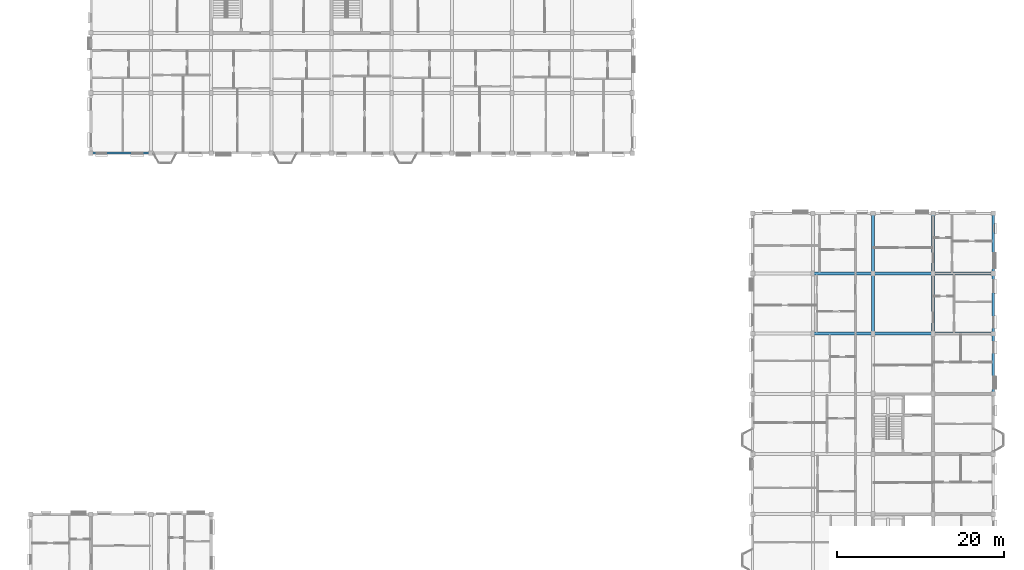
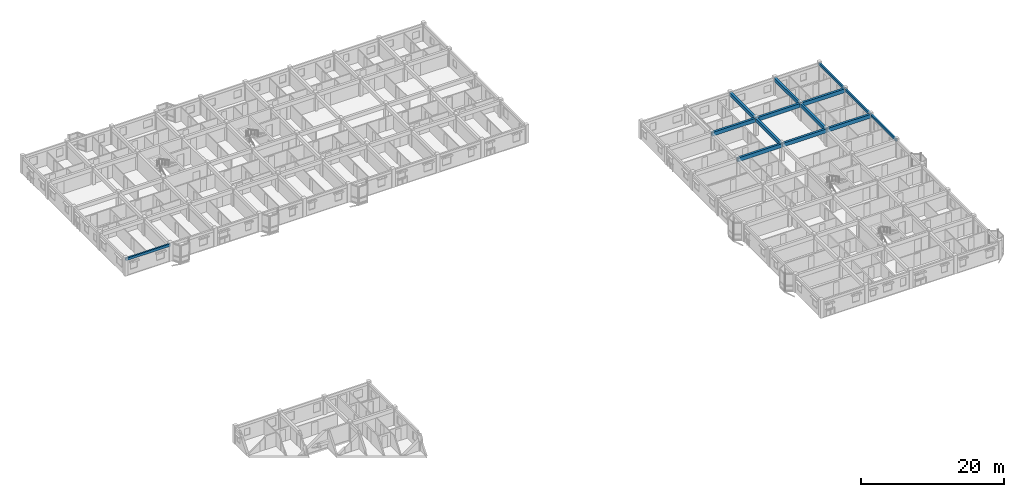
# One storey, part 31 of 79: 14 beams.
"""IFC4 building model written with IfcOpenShell, lengths in metres."""

from ifc_helpers import new_model, si_unit, direction, frame, origin, origin_2d, place, context, subcontext, project, spatial, rectangle, extrude, material, material_profile, profile_set, type_object, element, save


model = new_model("IFC4")

# Units and contexts
model_context = context("Model", 3, precision=1e-05, world=origin(), true_north=direction((0.0, 1.0)))
body_context = subcontext(model_context, "Body", "Model", "MODEL_VIEW")
ifc_project = project(units=[si_unit("LENGTHUNIT", "METRE"), si_unit("AREAUNIT", "SQUARE_METRE"), si_unit("VOLUMEUNIT", "CUBIC_METRE"), si_unit("PLANEANGLEUNIT", "RADIAN"), si_unit("MASSUNIT", "GRAM", prefix="KILO"), si_unit("THERMODYNAMICTEMPERATUREUNIT", "KELVIN"), si_unit("POWERUNIT", "WATT")], contexts=[model_context])

# Site, building, storey
site_placement = place(None, origin())
site = spatial("IfcSite", under=ifc_project, at=site_placement, CompositionType="ELEMENT")
building_placement = place(site_placement, origin())
building = spatial("IfcBuilding", under=site, at=building_placement, Name="Tavuni Mirador Residences", CompositionType="ELEMENT")
storey_placement = place(building_placement, frame((0.0, 0.0, 13.949951171875)))
storey = spatial("IfcBuildingStorey", under=building, at=storey_placement, Name="L04", CompositionType="ELEMENT", Elevation=13.949951171875)

# Beams
ifc_material = material(Name="Precast concrete C40/50", Category="concrete")
ifc_material_profile_1 = material_profile(ifc_material, rectangle(XDim=0.35009765625, YDim=0.60009765625, at=origin_2d()), Name="PC 350x600", Category="concrete")
ifc_profile_set_1 = profile_set([ifc_material_profile_1], Name="Precast concrete C40/50")
beam_type_1 = type_object("IfcBeamType", Name="BT-B600", PredefinedType="BEAM", material=ifc_profile_set_1)
beam_1_placement = place(storey_placement, frame((104.39990234375, 122.39990234375, 2.590087890625), z_axis=(0.0, 1.0, 0.0), x_axis=(-1.0, 0.0, 0.0)))
element("IfcBeam", 1, at=beam_1_placement, inside=storey, type_object=beam_type_1, Name="BMY-BLK-D-L04-02-05", PredefinedType="BEAM", context=body_context, shape_type="SweptSolid", body=[
    extrude(rectangle(XDim=0.35009765625, YDim=0.60009765625, at=origin_2d()), origin(), (0.0, 0.0, 1.0), 7.2001953125),
])
beam_2_placement = place(storey_placement, frame((104.39990234375, 129.60009765625, 2.590087890625), z_axis=(0.0, 1.0, 0.0), x_axis=(-1.0, 0.0, 0.0)))
element("IfcBeam", 2, at=beam_2_placement, inside=storey, type_object=beam_type_1, Name="BMY-BLK-D-L04-02-06", PredefinedType="BEAM", context=body_context, shape_type="SweptSolid", body=[
    extrude(rectangle(XDim=0.35009765625, YDim=0.60009765625, at=origin_2d()), origin(), (0.0, 0.0, 1.0), 7.199951171875),
])
beam_3_placement = place(storey_placement, frame((111.60009765625, 122.39990234375, 2.590087890625), z_axis=(0.0, 1.0, 0.0), x_axis=(-1.0, 0.0, 0.0)))
element("IfcBeam", 3, at=beam_3_placement, inside=storey, type_object=beam_type_1, Name="BMY-BLK-D-L04-03-05", PredefinedType="BEAM", context=body_context, shape_type="SweptSolid", body=[
    extrude(rectangle(XDim=0.35009765625, YDim=0.60009765625, at=origin_2d()), origin(), (0.0, 0.0, 1.0), 7.2001953125),
])
beam_4_placement = place(storey_placement, frame((111.60009765625, 129.60009765625, 2.590087890625), z_axis=(0.0, 1.0, 0.0), x_axis=(-1.0, 0.0, 0.0)))
element("IfcBeam", 4, at=beam_4_placement, inside=storey, type_object=beam_type_1, Name="BMY-BLK-D-L04-03-06", PredefinedType="BEAM", context=body_context, shape_type="SweptSolid", body=[
    extrude(rectangle(XDim=0.35009765625, YDim=0.60009765625, at=origin_2d()), origin(), (0.0, 0.0, 1.0), 7.199951171875),
])
ifc_material_profile_2 = material_profile(ifc_material, rectangle(XDim=0.35009765625, YDim=0.64990234375, at=origin_2d()), Name="PC 350x650", Category="concrete")
ifc_profile_set_2 = profile_set([ifc_material_profile_2], Name="Precast concrete C40/50")
beam_type_2 = type_object("IfcBeamType", Name="BT-B650", PredefinedType="BEAM", material=ifc_profile_set_2)
beam_5_placement = place(storey_placement, frame((97.199951171875, 122.39990234375, 2.56494140625), z_axis=(1.0, 0.0, 0.0), x_axis=(0.0, 1.0, 0.0)))
element("IfcBeam", 5, at=beam_5_placement, inside=storey, type_object=beam_type_2, Name="BMX-BLK-D-L04-01-05", PredefinedType="BEAM", context=body_context, shape_type="SweptSolid", body=[
    extrude(rectangle(XDim=0.35009765625, YDim=0.64990234375, at=origin_2d()), origin(), (0.0, 0.0, 1.0), 7.199951171875),
])
beam_6_placement = place(storey_placement, frame((104.39990234375, 122.39990234375, 2.56494140625), z_axis=(1.0, 0.0, 0.0), x_axis=(0.0, 1.0, 0.0)))
element("IfcBeam", 6, at=beam_6_placement, inside=storey, type_object=beam_type_2, Name="BMX-BLK-D-L04-02-05", PredefinedType="BEAM", context=body_context, shape_type="SweptSolid", body=[
    extrude(rectangle(XDim=0.35009765625, YDim=0.64990234375, at=origin_2d()), origin(), (0.0, 0.0, 1.0), 7.2001953125),
])
for number, where, z_axis, x_axis, name in (
    (7, (111.60009765625, 122.39990234375, 2.56494140625), (1.0, 0.0, 0.0), (0.0, 1.0, 0.0), "BMX-BLK-D-L04-03-05"),
    (8, (97.199951171875, 129.60009765625, 2.56494140625), (1.0, 0.0, 0.0), (0.0, 1.0, 0.0), "BMX-BLK-D-L04-01-06"),
):
    element("IfcBeam", number, at=place(storey_placement, frame(where, z_axis=z_axis, x_axis=x_axis)), inside=storey, type_object=beam_type_2, Name=name, PredefinedType="BEAM", context=body_context, shape_type="SweptSolid", body=[
        extrude(rectangle(XDim=0.35009765625, YDim=0.64990234375, at=origin_2d()), origin(), (0.0, 0.0, 1.0), 7.199951171875),
    ])
beam_7_placement = place(storey_placement, frame((104.39990234375, 129.60009765625, 2.56494140625), z_axis=(1.0, 0.0, 0.0), x_axis=(0.0, 1.0, 0.0)))
element("IfcBeam", 9, at=beam_7_placement, inside=storey, type_object=beam_type_2, Name="BMX-BLK-D-L04-02-06", PredefinedType="BEAM", context=body_context, shape_type="SweptSolid", body=[
    extrude(rectangle(XDim=0.35009765625, YDim=0.64990234375, at=origin_2d()), origin(), (0.0, 0.0, 1.0), 7.2001953125),
])
beam_8_placement = place(storey_placement, frame((111.60009765625, 129.60009765625, 2.56494140625), z_axis=(1.0, 0.0, 0.0), x_axis=(0.0, 1.0, 0.0)))
element("IfcBeam", 10, at=beam_8_placement, inside=storey, type_object=beam_type_2, Name="BMX-BLK-D-L04-03-06", PredefinedType="BEAM", context=body_context, shape_type="SweptSolid", body=[
    extrude(rectangle(XDim=0.35009765625, YDim=0.64990234375, at=origin_2d()), origin(), (0.0, 0.0, 1.0), 7.199951171875),
])
ifc_material_profile_3 = material_profile(ifc_material, rectangle(XDim=0.25, YDim=0.419921875, at=origin_2d()), Name="PC 250x420", Category="concrete")
ifc_profile_set_3 = profile_set([ifc_material_profile_3], Name="Precast concrete C40/50")
beam_type_3 = type_object("IfcBeamType", Name="BT-SP420", PredefinedType="SPANDREL", material=ifc_profile_set_3)
for number, where, z_axis, x_axis, name in (
    (11, (10.800048828125, 144.0, 2.675048828125), (1.0, 0.0, 0.0), (0.0, 1.0, 0.0), "BMX-BLK-C-L04-00-00"),
    (12, (118.800048828125, 115.199951171875, 2.679931640625), (0.0, 1.0, 0.0), (-1.0, 0.0, 0.0), "BMY-BLK-D-L04-04-04"),
):
    element("IfcBeam", number, at=place(storey_placement, frame(where, z_axis=z_axis, x_axis=x_axis)), inside=storey, type_object=beam_type_3, Name=name, PredefinedType="SPANDREL", context=body_context, shape_type="SweptSolid", body=[
        extrude(rectangle(XDim=0.25, YDim=0.419921875, at=origin_2d()), origin(), (0.0, 0.0, 1.0), 7.199951171875),
    ])
beam_9_placement = place(storey_placement, frame((118.800048828125, 122.39990234375, 2.679931640625), z_axis=(0.0, 1.0, 0.0), x_axis=(-1.0, 0.0, 0.0)))
element("IfcBeam", 13, at=beam_9_placement, inside=storey, type_object=beam_type_3, Name="BMY-BLK-D-L04-04-05", PredefinedType="SPANDREL", context=body_context, shape_type="SweptSolid", body=[
    extrude(rectangle(XDim=0.25, YDim=0.419921875, at=origin_2d()), origin(), (0.0, 0.0, 1.0), 7.2001953125),
])
beam_10_placement = place(storey_placement, frame((118.800048828125, 129.60009765625, 2.679931640625), z_axis=(0.0, 1.0, 0.0), x_axis=(-1.0, 0.0, 0.0)))
element("IfcBeam", 14, at=beam_10_placement, inside=storey, type_object=beam_type_3, Name="BMY-BLK-D-L04-04-06", PredefinedType="SPANDREL", context=body_context, shape_type="SweptSolid", body=[
    extrude(rectangle(XDim=0.25, YDim=0.419921875, at=origin_2d()), origin(), (0.0, 0.0, 1.0), 7.199951171875),
])

save(model, "model.ifc")
